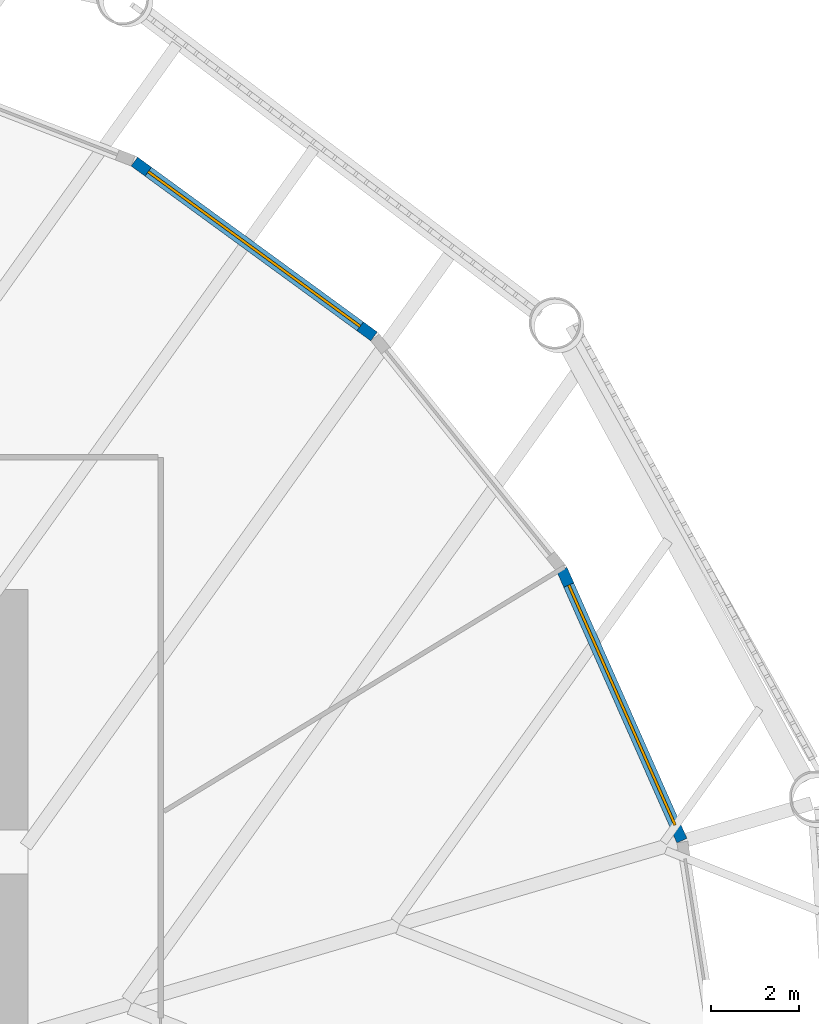
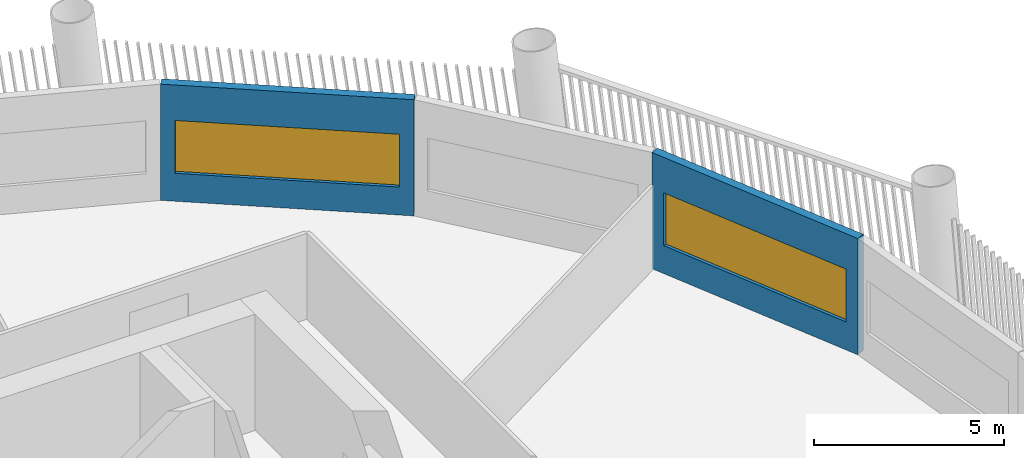
# One storey, part 8 of 17: 2 walls, 2 windows, 2 openings.
"""IFC4 building model written with IfcOpenShell, lengths in metres."""

from ifc_helpers import new_model, si_unit, direction, frame, frame_2d, origin, place, context, subcontext, project, spatial, rectangle, extrude, material, layer, layer_set, type_object, element, fill, save


model = new_model("IFC4")

# Units and contexts
model_context = context("Model", 3, precision=1e-05, world=origin(), true_north=direction((0.0, 1.0)))
body_context = subcontext(model_context, "Body", "Model", "MODEL_VIEW")
ifc_project = project(units=[si_unit("LENGTHUNIT", "METRE"), si_unit("AREAUNIT", "SQUARE_METRE"), si_unit("VOLUMEUNIT", "CUBIC_METRE"), si_unit("PLANEANGLEUNIT", "RADIAN"), si_unit("MASSUNIT", "GRAM", prefix="KILO")], contexts=[model_context])

# Site, building, storey
site_placement = place(None, origin())
site = spatial("IfcSite", under=ifc_project, at=site_placement, CompositionType="ELEMENT")
building_placement = place(site_placement, origin())
building = spatial("IfcBuilding", under=site, at=building_placement, Name="Tarsis Ring Headquarters", CompositionType="ELEMENT")
storey_placement = place(building_placement, frame((0.0, 0.0, 127.89990234375)))
storey = spatial("IfcBuildingStorey", under=building, at=storey_placement, Name="L29", CompositionType="ELEMENT", Elevation=127.89990234375)

# Wall, opening, window
ifc_material_1 = material(Name="Terracotta clad insulated panel wall", Category="masonry")
ifc_layer = layer(ifc_material_1, 0.25)
ifc_layer_set = layer_set([ifc_layer], Name="Facade wall terracotta panel 250")
wall_type = type_object("IfcWallType", Name="Facade wall terracotta panel 250", PredefinedType="STANDARD", material=ifc_layer_set)
wall_1_placement = place(storey_placement, frame((24.817138671875, 7.311767578125, 0.0), z_axis=(0.0, 0.0, 1.0), x_axis=(-0.404820303732, 0.914396260757, 0.0)))
wall_1 = element("IfcWall", 1, at=wall_1_placement, inside=storey, type_object=wall_type, Name="External wall L29-24", PredefinedType="STANDARD", context=body_context, shape_type="SweptSolid", body=[
    extrude(rectangle(XDim=6.721435546875, YDim=0.25, at=frame_2d((3.36083984375, 0.0))), origin(), (0.0, 0.0, 1.0), 3.739990234375),
])
opening_1_placement = place(wall_1_placement, frame((0.3857421875, 0.0, 0.89990234375)))
opening_1 = element("IfcOpeningElement", 2, at=opening_1_placement, cuts=wall_1, Name="Opening WN07", PredefinedType="OPENING", context=body_context, shape_type="SweptSolid", body=[
    extrude(rectangle(XDim=5.949951171875, YDim=1.699951171875, at=frame_2d((2.97509765625, 0.85009765625))), frame((0.0, 0.135009765625, 0.0), z_axis=(0.0, -1.0, 0.0), x_axis=(1.0, 0.0, 0.0)), (0.0, 0.0, 1.0), 0.27001953125),
])
ifc_material_2 = material(Name="Aluminium framed double glazing", Category="aluminium")
window_type = type_object("IfcWindowType", Name="Facade window 5950 x 1700", PartitioningType="SINGLE_PANEL", PredefinedType="WINDOW", material=ifc_material_2)
window_1_placement = place(opening_1_placement, origin())
window_1 = element("IfcWindow", 3, at=window_1_placement, inside=storey, type_object=window_type, Name="Window L29-24.1", OverallHeight=1.699951171875, OverallWidth=5.949951171875, PartitioningType="SINGLE_PANEL", PredefinedType="WINDOW", context=body_context, shape_type="SweptSolid", body=[
    extrude(rectangle(XDim=5.949951171875, YDim=1.699951171875, at=frame_2d((2.97509765625, 0.85009765625))), frame((0.0, 0.030029296875, 0.0), z_axis=(0.0, -1.0, 0.0), x_axis=(1.0, 0.0, 0.0)), (0.0, 0.0, 1.0), 0.06005859375),
])
fill(opening_1, window_1)

wall_2_placement = place(storey_placement, frame((17.83642578125, 18.74072265625, 0.0), z_axis=(0.0, 0.0, 1.0), x_axis=(-0.807794219914, 0.589464586106, 0.0)))
wall_2 = element("IfcWall", 4, at=wall_2_placement, inside=storey, type_object=wall_type, Name="External wall L29-26", PredefinedType="STANDARD", context=body_context, shape_type="SweptSolid", body=[
    extrude(rectangle(XDim=6.7216796875, YDim=0.25, at=frame_2d((3.36083984375, 0.0))), origin(), (0.0, 0.0, 1.0), 3.739990234375),
])
opening_2_placement = place(wall_2_placement, frame((0.3857421875, 0.0, 0.89990234375)))
opening_2 = element("IfcOpeningElement", 5, at=opening_2_placement, cuts=wall_2, Name="Opening WN07", PredefinedType="OPENING", context=body_context, shape_type="SweptSolid", body=[
    extrude(rectangle(XDim=5.949951171875, YDim=1.699951171875, at=frame_2d((2.97509765625, 0.85009765625))), frame((0.0, 0.135009765625, 0.0), z_axis=(0.0, -1.0, 0.0), x_axis=(1.0, 0.0, 0.0)), (0.0, 0.0, 1.0), 0.27001953125),
])
window_2_placement = place(opening_2_placement, origin())
window_2 = element("IfcWindow", 6, at=window_2_placement, inside=storey, type_object=window_type, Name="Window L29-26.1", OverallHeight=1.699951171875, OverallWidth=5.949951171875, PartitioningType="SINGLE_PANEL", PredefinedType="WINDOW", context=body_context, shape_type="SweptSolid", body=[
    extrude(rectangle(XDim=5.949951171875, YDim=1.699951171875, at=frame_2d((2.97509765625, 0.85009765625))), frame((0.0, 0.030029296875, 0.0), z_axis=(0.0, -1.0, 0.0), x_axis=(1.0, 0.0, 0.0)), (0.0, 0.0, 1.0), 0.06005859375),
])
fill(opening_2, window_2)

save(model, "model.ifc")
